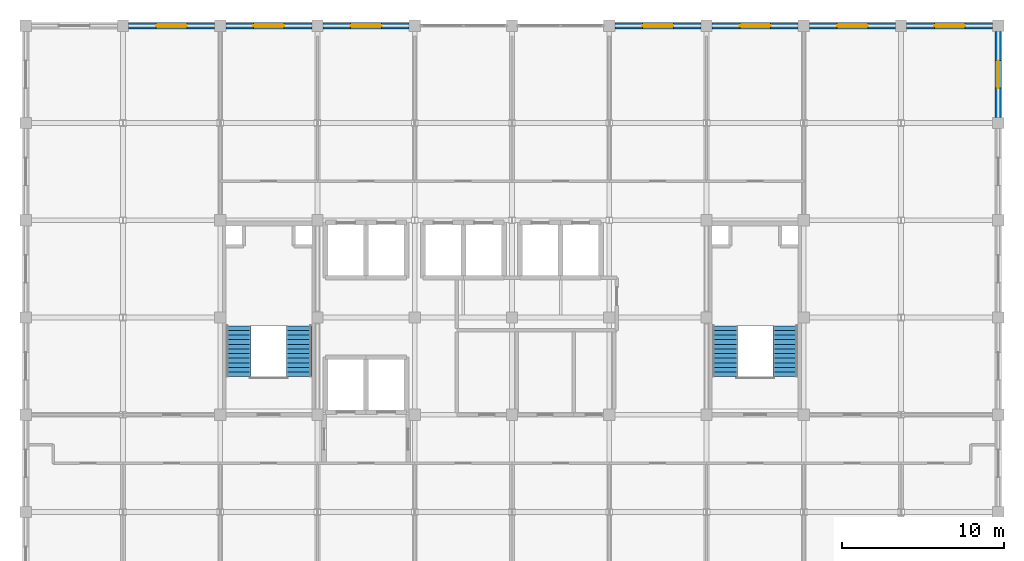
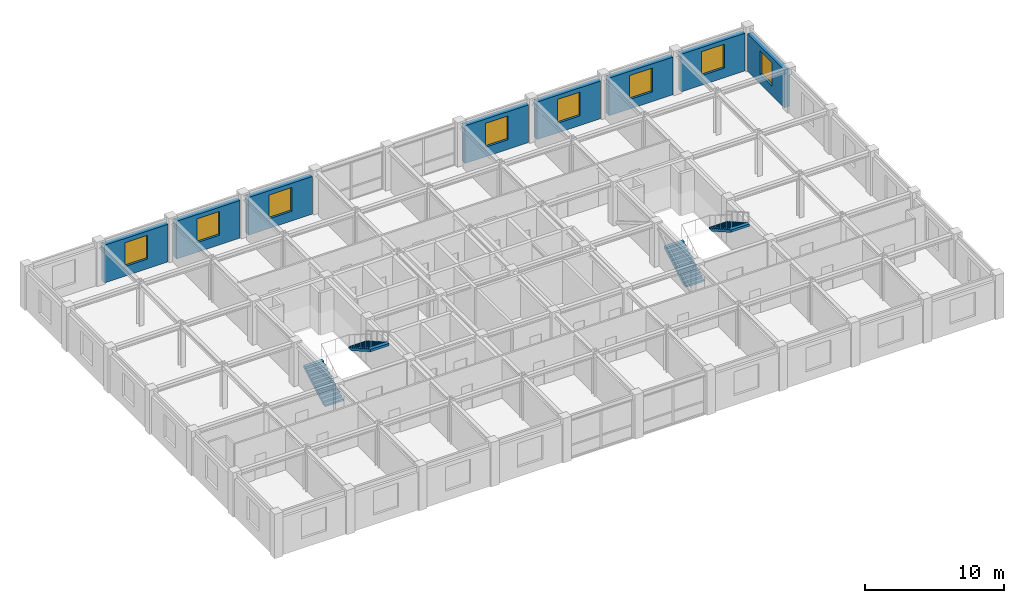
# One storey, part 13 of 14: 8 walls, 8 windows, 4 stair flights, 8 openings, 2 elements without a shape of their own.
"""IFC4 building model written with IfcOpenShell, lengths in metres."""

from ifc_helpers import new_model, si_unit, direction, frame, frame_2d, origin, place, context, subcontext, project, spatial, polyline, rectangle, outline, extrude, material, layer, layer_set, type_object, element, fill, aggregate, save


model = new_model("IFC4")

# Units and contexts
model_context = context("Model", 3, precision=1e-05, world=origin(), true_north=direction((0.0, 1.0)))
body_context = subcontext(model_context, "Body", "Model", "MODEL_VIEW")
ifc_project = project(units=[si_unit("LENGTHUNIT", "METRE"), si_unit("AREAUNIT", "SQUARE_METRE"), si_unit("VOLUMEUNIT", "CUBIC_METRE"), si_unit("PLANEANGLEUNIT", "RADIAN"), si_unit("MASSUNIT", "GRAM", prefix="KILO")], contexts=[model_context])

# Site, building, storey
site_placement = place(None, origin())
site = spatial("IfcSite", under=ifc_project, at=site_placement, CompositionType="ELEMENT")
building_placement = place(site_placement, origin())
building = spatial("IfcBuilding", under=site, at=building_placement, Name="Zlatovratsky Civic Hall", CompositionType="ELEMENT")
storey_placement = place(building_placement, frame((0.0, 0.0, 28.800048828125)))
storey = spatial("IfcBuildingStorey", under=building, at=storey_placement, Name="L07", CompositionType="ELEMENT", Elevation=28.800048828125)

# Wall, opening, window
ifc_material_1 = material(Name="Acoustic ceramic blockwork", Category="masonry")
ifc_layer_1 = layer(ifc_material_1, 0.280029296875, Name="Backing")
ifc_material_2 = material(Name="Podolsk limestone ashlar", Category="masonry")
ifc_layer_2 = layer(ifc_material_2, 0.139892578125, Name="Finish")
ifc_layer_set = layer_set([ifc_layer_1, ifc_layer_2], Name="Acoustic ceramic blockwork")
wall_type = type_object("IfcWallType", Name="Wall_TowerLimestoneAshlar_420", PredefinedType="SOLIDWALL", material=ifc_layer_set)
wall_1_placement = place(storey_placement, frame((60.35009765625, 108.0, 0.0), z_axis=(0.0, 0.0, 1.0), x_axis=(1.0, 0.0, 0.0)))
wall_1 = element("IfcWall", 1, at=wall_1_placement, inside=storey, type_object=wall_type, Name="WL-0454", PredefinedType="SOLIDWALL", context=body_context, shape_type="SweptSolid", body=[
    extrude(rectangle(XDim=5.2998046875, YDim=0.419921875, at=frame_2d((2.64990234375, 0.0))), origin(), (0.0, 0.0, 1.0), 3.320068359375),
])
opening_1_placement = place(wall_1_placement, frame((1.699951171875, 0.0, 0.85009765625)))
opening_1 = element("IfcOpeningElement", 2, at=opening_1_placement, cuts=wall_1, Name="Opening WN-15", PredefinedType="OPENING", context=body_context, shape_type="SweptSolid", body=[
    extrude(rectangle(XDim=1.89990234375, YDim=2.10009765625, at=frame_2d((0.949951171875, 1.050048828125))), frame((0.0, 0.224853515625, 0.0), z_axis=(0.0, -1.0, 0.0), x_axis=(1.0, 0.0, 0.0)), (0.0, 0.0, 1.0), 0.44970703125),
])
ifc_material_3 = material(Name="Low-E laminated double glazing", Category="glass")
window_type_1 = type_object("IfcWindowType", Name="Window_TowerTier1North_1900x2100", PartitioningType="SINGLE_PANEL", PredefinedType="WINDOW", material=ifc_material_3)
window_1_placement = place(opening_1_placement, origin())
window_1 = element("IfcWindow", 3, at=window_1_placement, inside=storey, type_object=window_type_1, Name="WN-0358", OverallHeight=2.10009765625, OverallWidth=1.89990234375, PartitioningType="SINGLE_PANEL", PredefinedType="WINDOW", context=body_context, shape_type="SweptSolid", body=[
    extrude(rectangle(XDim=1.89990234375, YDim=2.10009765625, at=frame_2d((0.949951171875, 1.050048828125))), frame((0.0, 0.030029296875, 0.0), z_axis=(0.0, -1.0, 0.0), x_axis=(1.0, 0.0, 0.0)), (0.0, 0.0, 1.0), 0.06005859375),
])
fill(opening_1, window_1)

wall_2_placement = place(storey_placement, frame((66.35009765625, 108.0, 0.0), z_axis=(0.0, 0.0, 1.0), x_axis=(1.0, 0.0, 0.0)))
wall_2 = element("IfcWall", 4, at=wall_2_placement, inside=storey, type_object=wall_type, Name="WL-0455", PredefinedType="SOLIDWALL", context=body_context, shape_type="SweptSolid", body=[
    extrude(rectangle(XDim=5.2998046875, YDim=0.419921875, at=frame_2d((2.64990234375, 0.0))), origin(), (0.0, 0.0, 1.0), 3.320068359375),
])
opening_2_placement = place(wall_2_placement, frame((1.699951171875, 0.0, 0.85009765625)))
opening_2 = element("IfcOpeningElement", 5, at=opening_2_placement, cuts=wall_2, Name="Opening WN-15", PredefinedType="OPENING", context=body_context, shape_type="SweptSolid", body=[
    extrude(rectangle(XDim=1.89990234375, YDim=2.10009765625, at=frame_2d((0.949951171875, 1.050048828125))), frame((0.0, 0.224853515625, 0.0), z_axis=(0.0, -1.0, 0.0), x_axis=(1.0, 0.0, 0.0)), (0.0, 0.0, 1.0), 0.44970703125),
])
window_2_placement = place(opening_2_placement, origin())
window_2 = element("IfcWindow", 6, at=window_2_placement, inside=storey, type_object=window_type_1, Name="WN-0359", OverallHeight=2.10009765625, OverallWidth=1.89990234375, PartitioningType="SINGLE_PANEL", PredefinedType="WINDOW", context=body_context, shape_type="SweptSolid", body=[
    extrude(rectangle(XDim=1.89990234375, YDim=2.10009765625, at=frame_2d((0.949951171875, 1.050048828125))), frame((0.0, 0.030029296875, 0.0), z_axis=(0.0, -1.0, 0.0), x_axis=(1.0, 0.0, 0.0)), (0.0, 0.0, 1.0), 0.06005859375),
])
fill(opening_2, window_2)

wall_3_placement = place(storey_placement, frame((72.35009765625, 108.0, 0.0), z_axis=(0.0, 0.0, 1.0), x_axis=(1.0, 0.0, 0.0)))
wall_3 = element("IfcWall", 7, at=wall_3_placement, inside=storey, type_object=wall_type, Name="WL-0456", PredefinedType="SOLIDWALL", context=body_context, shape_type="SweptSolid", body=[
    extrude(rectangle(XDim=5.2998046875, YDim=0.419921875, at=frame_2d((2.64990234375, 0.0))), origin(), (0.0, 0.0, 1.0), 3.320068359375),
])
opening_3_placement = place(wall_3_placement, frame((1.699951171875, 0.0, 0.85009765625)))
opening_3 = element("IfcOpeningElement", 8, at=opening_3_placement, cuts=wall_3, Name="Opening WN-15", PredefinedType="OPENING", context=body_context, shape_type="SweptSolid", body=[
    extrude(rectangle(XDim=1.89990234375, YDim=2.10009765625, at=frame_2d((0.949951171875, 1.050048828125))), frame((0.0, 0.224853515625, 0.0), z_axis=(0.0, -1.0, 0.0), x_axis=(1.0, 0.0, 0.0)), (0.0, 0.0, 1.0), 0.44970703125),
])
window_3_placement = place(opening_3_placement, origin())
window_3 = element("IfcWindow", 9, at=window_3_placement, inside=storey, type_object=window_type_1, Name="WN-0360", OverallHeight=2.10009765625, OverallWidth=1.89990234375, PartitioningType="SINGLE_PANEL", PredefinedType="WINDOW", context=body_context, shape_type="SweptSolid", body=[
    extrude(rectangle(XDim=1.89990234375, YDim=2.10009765625, at=frame_2d((0.949951171875, 1.050048828125))), frame((0.0, 0.030029296875, 0.0), z_axis=(0.0, -1.0, 0.0), x_axis=(1.0, 0.0, 0.0)), (0.0, 0.0, 1.0), 0.06005859375),
])
fill(opening_3, window_3)

wall_4_placement = place(storey_placement, frame((90.35009765625, 108.0, 0.0), z_axis=(0.0, 0.0, 1.0), x_axis=(1.0, 0.0, 0.0)))
wall_4 = element("IfcWall", 10, at=wall_4_placement, inside=storey, type_object=wall_type, Name="WL-0457", PredefinedType="SOLIDWALL", context=body_context, shape_type="SweptSolid", body=[
    extrude(rectangle(XDim=5.2998046875, YDim=0.419921875, at=frame_2d((2.64990234375, 0.0))), origin(), (0.0, 0.0, 1.0), 3.320068359375),
])
opening_4_placement = place(wall_4_placement, frame((1.699951171875, 0.0, 0.85009765625)))
opening_4 = element("IfcOpeningElement", 11, at=opening_4_placement, cuts=wall_4, Name="Opening WN-15", PredefinedType="OPENING", context=body_context, shape_type="SweptSolid", body=[
    extrude(rectangle(XDim=1.89990234375, YDim=2.10009765625, at=frame_2d((0.949951171875, 1.050048828125))), frame((0.0, 0.224853515625, 0.0), z_axis=(0.0, -1.0, 0.0), x_axis=(1.0, 0.0, 0.0)), (0.0, 0.0, 1.0), 0.44970703125),
])
window_4_placement = place(opening_4_placement, origin())
window_4 = element("IfcWindow", 12, at=window_4_placement, inside=storey, type_object=window_type_1, Name="WN-0361", OverallHeight=2.10009765625, OverallWidth=1.89990234375, PartitioningType="SINGLE_PANEL", PredefinedType="WINDOW", context=body_context, shape_type="SweptSolid", body=[
    extrude(rectangle(XDim=1.89990234375, YDim=2.10009765625, at=frame_2d((0.949951171875, 1.050048828125))), frame((0.0, 0.030029296875, 0.0), z_axis=(0.0, -1.0, 0.0), x_axis=(1.0, 0.0, 0.0)), (0.0, 0.0, 1.0), 0.06005859375),
])
fill(opening_4, window_4)

wall_5_placement = place(storey_placement, frame((96.35009765625, 108.0, 0.0), z_axis=(0.0, 0.0, 1.0), x_axis=(1.0, 0.0, 0.0)))
wall_5 = element("IfcWall", 13, at=wall_5_placement, inside=storey, type_object=wall_type, Name="WL-0458", PredefinedType="SOLIDWALL", context=body_context, shape_type="SweptSolid", body=[
    extrude(rectangle(XDim=5.2998046875, YDim=0.419921875, at=frame_2d((2.64990234375, 0.0))), origin(), (0.0, 0.0, 1.0), 3.320068359375),
])
opening_5_placement = place(wall_5_placement, frame((1.699951171875, 0.0, 0.85009765625)))
opening_5 = element("IfcOpeningElement", 14, at=opening_5_placement, cuts=wall_5, Name="Opening WN-15", PredefinedType="OPENING", context=body_context, shape_type="SweptSolid", body=[
    extrude(rectangle(XDim=1.89990234375, YDim=2.10009765625, at=frame_2d((0.949951171875, 1.050048828125))), frame((0.0, 0.224853515625, 0.0), z_axis=(0.0, -1.0, 0.0), x_axis=(1.0, 0.0, 0.0)), (0.0, 0.0, 1.0), 0.44970703125),
])
window_5_placement = place(opening_5_placement, origin())
window_5 = element("IfcWindow", 15, at=window_5_placement, inside=storey, type_object=window_type_1, Name="WN-0362", OverallHeight=2.10009765625, OverallWidth=1.89990234375, PartitioningType="SINGLE_PANEL", PredefinedType="WINDOW", context=body_context, shape_type="SweptSolid", body=[
    extrude(rectangle(XDim=1.89990234375, YDim=2.10009765625, at=frame_2d((0.949951171875, 1.050048828125))), frame((0.0, 0.030029296875, 0.0), z_axis=(0.0, -1.0, 0.0), x_axis=(1.0, 0.0, 0.0)), (0.0, 0.0, 1.0), 0.06005859375),
])
fill(opening_5, window_5)

wall_6_placement = place(storey_placement, frame((102.35009765625, 108.0, 0.0), z_axis=(0.0, 0.0, 1.0), x_axis=(1.0, 0.0, 0.0)))
wall_6 = element("IfcWall", 16, at=wall_6_placement, inside=storey, type_object=wall_type, Name="WL-0459", PredefinedType="SOLIDWALL", context=body_context, shape_type="SweptSolid", body=[
    extrude(rectangle(XDim=5.2998046875, YDim=0.419921875, at=frame_2d((2.64990234375, 0.0))), origin(), (0.0, 0.0, 1.0), 3.320068359375),
])
opening_6_placement = place(wall_6_placement, frame((1.699951171875, 0.0, 0.85009765625)))
opening_6 = element("IfcOpeningElement", 17, at=opening_6_placement, cuts=wall_6, Name="Opening WN-15", PredefinedType="OPENING", context=body_context, shape_type="SweptSolid", body=[
    extrude(rectangle(XDim=1.89990234375, YDim=2.10009765625, at=frame_2d((0.949951171875, 1.050048828125))), frame((0.0, 0.224853515625, 0.0), z_axis=(0.0, -1.0, 0.0), x_axis=(1.0, 0.0, 0.0)), (0.0, 0.0, 1.0), 0.44970703125),
])
window_6_placement = place(opening_6_placement, origin())
window_6 = element("IfcWindow", 18, at=window_6_placement, inside=storey, type_object=window_type_1, Name="WN-0363", OverallHeight=2.10009765625, OverallWidth=1.89990234375, PartitioningType="SINGLE_PANEL", PredefinedType="WINDOW", context=body_context, shape_type="SweptSolid", body=[
    extrude(rectangle(XDim=1.89990234375, YDim=2.10009765625, at=frame_2d((0.949951171875, 1.050048828125))), frame((0.0, 0.030029296875, 0.0), z_axis=(0.0, -1.0, 0.0), x_axis=(1.0, 0.0, 0.0)), (0.0, 0.0, 1.0), 0.06005859375),
])
fill(opening_6, window_6)

wall_7_placement = place(storey_placement, frame((108.35009765625, 108.0, 0.0), z_axis=(0.0, 0.0, 1.0), x_axis=(1.0, 0.0, 0.0)))
wall_7 = element("IfcWall", 19, at=wall_7_placement, inside=storey, type_object=wall_type, Name="WL-0460", PredefinedType="SOLIDWALL", context=body_context, shape_type="SweptSolid", body=[
    extrude(rectangle(XDim=5.2998046875, YDim=0.419921875, at=frame_2d((2.64990234375, 0.0))), origin(), (0.0, 0.0, 1.0), 3.320068359375),
])
opening_7_placement = place(wall_7_placement, frame((1.699951171875, 0.0, 0.85009765625)))
opening_7 = element("IfcOpeningElement", 20, at=opening_7_placement, cuts=wall_7, Name="Opening WN-15", PredefinedType="OPENING", context=body_context, shape_type="SweptSolid", body=[
    extrude(rectangle(XDim=1.89990234375, YDim=2.10009765625, at=frame_2d((0.949951171875, 1.050048828125))), frame((0.0, 0.224853515625, 0.0), z_axis=(0.0, -1.0, 0.0), x_axis=(1.0, 0.0, 0.0)), (0.0, 0.0, 1.0), 0.44970703125),
])
window_7_placement = place(opening_7_placement, origin())
window_7 = element("IfcWindow", 21, at=window_7_placement, inside=storey, type_object=window_type_1, Name="WN-0364", OverallHeight=2.10009765625, OverallWidth=1.89990234375, PartitioningType="SINGLE_PANEL", PredefinedType="WINDOW", context=body_context, shape_type="SweptSolid", body=[
    extrude(rectangle(XDim=1.89990234375, YDim=2.10009765625, at=frame_2d((0.949951171875, 1.050048828125))), frame((0.0, 0.030029296875, 0.0), z_axis=(0.0, -1.0, 0.0), x_axis=(1.0, 0.0, 0.0)), (0.0, 0.0, 1.0), 0.06005859375),
])
fill(opening_7, window_7)

wall_8_placement = place(storey_placement, frame((114.0, 102.35009765625, 0.0), z_axis=(0.0, 0.0, 1.0), x_axis=(0.0, 1.0, 0.0)))
wall_8 = element("IfcWall", 22, at=wall_8_placement, inside=storey, type_object=wall_type, Name="WL-0472", PredefinedType="SOLIDWALL", context=body_context, shape_type="SweptSolid", body=[
    extrude(rectangle(XDim=5.2998046875, YDim=0.419921875, at=frame_2d((2.64990234375, 0.0))), origin(), (0.0, 0.0, 1.0), 3.320068359375),
])
opening_8_placement = place(wall_8_placement, frame((1.800048828125, 0.0, 0.85009765625)))
opening_8 = element("IfcOpeningElement", 23, at=opening_8_placement, cuts=wall_8, Name="Opening WN-16", PredefinedType="OPENING", context=body_context, shape_type="SweptSolid", body=[
    extrude(rectangle(XDim=1.699951171875, YDim=2.050048828125, at=frame_2d((0.85009765625, 1.02490234375))), frame((0.0, 0.224853515625, 0.0), z_axis=(0.0, -1.0, 0.0), x_axis=(1.0, 0.0, 0.0)), (0.0, 0.0, 1.0), 0.44970703125),
])
window_type_2 = type_object("IfcWindowType", Name="Window_TowerTier1Flank_1700x2050", PartitioningType="SINGLE_PANEL", PredefinedType="WINDOW", material=ifc_material_3)
window_8_placement = place(opening_8_placement, origin())
window_8 = element("IfcWindow", 24, at=window_8_placement, inside=storey, type_object=window_type_2, Name="WN-0376", OverallHeight=2.050048828125, OverallWidth=1.699951171875, PartitioningType="SINGLE_PANEL", PredefinedType="WINDOW", context=body_context, shape_type="SweptSolid", body=[
    extrude(rectangle(XDim=1.699951171875, YDim=2.050048828125, at=frame_2d((0.85009765625, 1.02490234375))), frame((0.0, 0.030029296875, 0.0), z_axis=(0.0, -1.0, 0.0), x_axis=(1.0, 0.0, 0.0)), (0.0, 0.0, 1.0), 0.06005859375),
])
fill(opening_8, window_8)

# Stair, stair flights
ifc_material_4 = material(Name="Concrete C30/37 (B35)", Category="concrete")
stair_type = type_object("IfcStairType", Name="Stair_HALF_24R_1550W_04", PredefinedType="HALF_TURN_STAIR", material=ifc_material_4)
stair_1_placement = place(storey_placement, origin())
stair_1 = element("IfcStair", 25, at=stair_1_placement, inside=storey, type_object=stair_type, Name="ST-008", PredefinedType="HALF_TURN_STAIR")
stair_flight_type = type_object("IfcStairFlightType", Name="StairFlight_12R_1550W_04", PredefinedType="STRAIGHT", material=ifc_material_4)
stair_flight_1_placement = place(storey_placement, frame((67.125, 86.35009765625, 0.0), z_axis=(0.0, 0.0, 1.0), x_axis=(0.0, 1.0, 0.0)))
stair_flight_1 = element("IfcStairFlight", 26, at=stair_flight_1_placement, type_object=stair_flight_type, Name="ST-008-F1", NumberOfRisers=12, NumberOfTreads=11, PredefinedType="STRAIGHT", RiserHeight=0.1625, TreadLength=0.285, context=body_context, shape_type="SweptSolid", body=[
    extrude(outline(polyline([(0.0, 0.0), (0.0, 0.16259765625), (0.284912109375, 0.16259765625), (0.284912109375, 0.324951171875), (0.570068359375, 0.324951171875), (0.570068359375, 0.487548828125), (0.85498046875, 0.487548828125), (0.85498046875, 0.64990234375), (1.139892578125, 0.64990234375), (1.139892578125, 0.8125), (1.425048828125, 0.8125), (1.425048828125, 0.97509765625), (1.7099609375, 0.97509765625), (1.7099609375, 1.137451171875), (1.9951171875, 1.137451171875), (1.9951171875, 1.300048828125), (2.280029296875, 1.300048828125), (2.280029296875, 1.46240234375), (2.56494140625, 1.46240234375), (2.56494140625, 1.625), (2.85009765625, 1.625), (2.85009765625, 1.78759765625), (3.135009765625, 1.78759765625), (3.135009765625, 1.949951171875), (3.135009765625, 1.580322265625), (0.36328125, 0.0), (0.0, 0.0)])), frame((0.0, 0.77490234375, 0.0), z_axis=(0.0, -1.0, 0.0), x_axis=(1.0, 0.0, 0.0)), (0.0, 0.0, 1.0), 1.550048828125),
])
stair_flight_2_placement = place(storey_placement, frame((70.875, 89.485107421875, 1.949951171875), z_axis=(0.0, 0.0, 1.0), x_axis=(0.0, -1.0, 0.0)))
stair_flight_2 = element("IfcStairFlight", 27, at=stair_flight_2_placement, type_object=stair_flight_type, Name="ST-008-F2", NumberOfRisers=12, NumberOfTreads=11, PredefinedType="STRAIGHT", RiserHeight=0.1625, TreadLength=0.285, context=body_context, shape_type="SweptSolid", body=[
    extrude(outline(polyline([(0.0, 0.0), (0.0, 0.16259765625), (0.284912109375, 0.16259765625), (0.284912109375, 0.324951171875), (0.570068359375, 0.324951171875), (0.570068359375, 0.487548828125), (0.85498046875, 0.487548828125), (0.85498046875, 0.64990234375), (1.139892578125, 0.64990234375), (1.139892578125, 0.8125), (1.425048828125, 0.8125), (1.425048828125, 0.97509765625), (1.7099609375, 0.97509765625), (1.7099609375, 1.137451171875), (1.9951171875, 1.137451171875), (1.9951171875, 1.300048828125), (2.280029296875, 1.300048828125), (2.280029296875, 1.46240234375), (2.56494140625, 1.46240234375), (2.56494140625, 1.625), (2.85009765625, 1.625), (2.85009765625, 1.78759765625), (3.135009765625, 1.78759765625), (3.135009765625, 1.949951171875), (3.135009765625, 1.580322265625), (0.36328125, 0.0), (0.0, 0.0)])), frame((0.0, 0.77490234375, 0.0), z_axis=(0.0, -1.0, 0.0), x_axis=(1.0, 0.0, 0.0)), (0.0, 0.0, 1.0), 1.550048828125),
])
aggregate(stair_1, [stair_flight_1, stair_flight_2])

stair_2_placement = place(storey_placement, origin())
stair_2 = element("IfcStair", 28, at=stair_2_placement, inside=storey, type_object=stair_type, Name="ST-027", PredefinedType="HALF_TURN_STAIR")
stair_flight_3_placement = place(storey_placement, frame((97.125, 86.35009765625, 0.0), z_axis=(0.0, 0.0, 1.0), x_axis=(0.0, 1.0, 0.0)))
stair_flight_3 = element("IfcStairFlight", 29, at=stair_flight_3_placement, type_object=stair_flight_type, Name="ST-027-F1", NumberOfRisers=12, NumberOfTreads=11, PredefinedType="STRAIGHT", RiserHeight=0.1625, TreadLength=0.285, context=body_context, shape_type="SweptSolid", body=[
    extrude(outline(polyline([(0.0, 0.0), (0.0, 0.16259765625), (0.284912109375, 0.16259765625), (0.284912109375, 0.324951171875), (0.570068359375, 0.324951171875), (0.570068359375, 0.487548828125), (0.85498046875, 0.487548828125), (0.85498046875, 0.64990234375), (1.139892578125, 0.64990234375), (1.139892578125, 0.8125), (1.425048828125, 0.8125), (1.425048828125, 0.97509765625), (1.7099609375, 0.97509765625), (1.7099609375, 1.137451171875), (1.9951171875, 1.137451171875), (1.9951171875, 1.300048828125), (2.280029296875, 1.300048828125), (2.280029296875, 1.46240234375), (2.56494140625, 1.46240234375), (2.56494140625, 1.625), (2.85009765625, 1.625), (2.85009765625, 1.78759765625), (3.135009765625, 1.78759765625), (3.135009765625, 1.949951171875), (3.135009765625, 1.580322265625), (0.36328125, 0.0), (0.0, 0.0)])), frame((0.0, 0.77490234375, 0.0), z_axis=(0.0, -1.0, 0.0), x_axis=(1.0, 0.0, 0.0)), (0.0, 0.0, 1.0), 1.550048828125),
])
stair_flight_4_placement = place(storey_placement, frame((100.875, 89.485107421875, 1.949951171875), z_axis=(0.0, 0.0, 1.0), x_axis=(0.0, -1.0, 0.0)))
stair_flight_4 = element("IfcStairFlight", 30, at=stair_flight_4_placement, type_object=stair_flight_type, Name="ST-027-F2", NumberOfRisers=12, NumberOfTreads=11, PredefinedType="STRAIGHT", RiserHeight=0.1625, TreadLength=0.285, context=body_context, shape_type="SweptSolid", body=[
    extrude(outline(polyline([(0.0, 0.0), (0.0, 0.16259765625), (0.284912109375, 0.16259765625), (0.284912109375, 0.324951171875), (0.570068359375, 0.324951171875), (0.570068359375, 0.487548828125), (0.85498046875, 0.487548828125), (0.85498046875, 0.64990234375), (1.139892578125, 0.64990234375), (1.139892578125, 0.8125), (1.425048828125, 0.8125), (1.425048828125, 0.97509765625), (1.7099609375, 0.97509765625), (1.7099609375, 1.137451171875), (1.9951171875, 1.137451171875), (1.9951171875, 1.300048828125), (2.280029296875, 1.300048828125), (2.280029296875, 1.46240234375), (2.56494140625, 1.46240234375), (2.56494140625, 1.625), (2.85009765625, 1.625), (2.85009765625, 1.78759765625), (3.135009765625, 1.78759765625), (3.135009765625, 1.949951171875), (3.135009765625, 1.580322265625), (0.36328125, 0.0), (0.0, 0.0)])), frame((0.0, 0.77490234375, 0.0), z_axis=(0.0, -1.0, 0.0), x_axis=(1.0, 0.0, 0.0)), (0.0, 0.0, 1.0), 1.550048828125),
])
aggregate(stair_2, [stair_flight_3, stair_flight_4])

save(model, "model.ifc")
